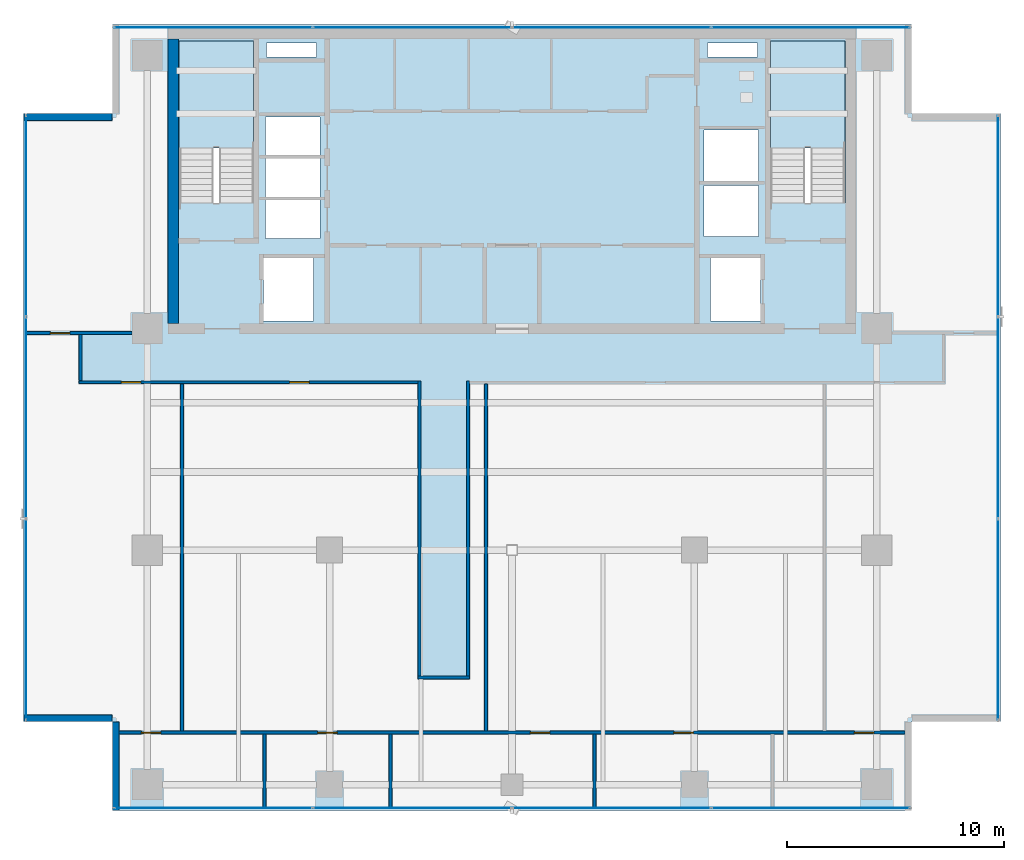
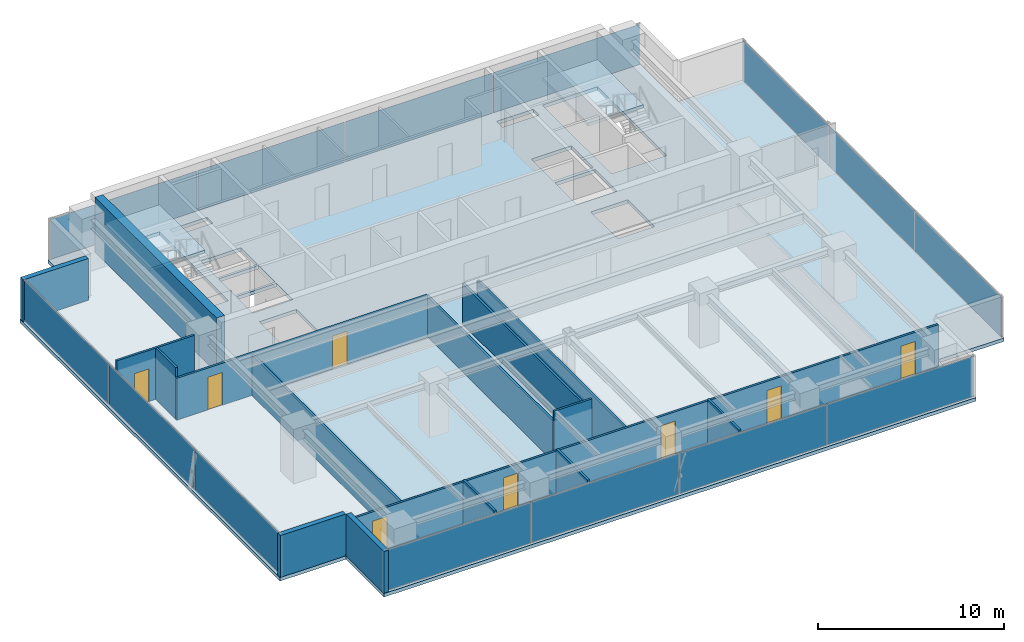
# One storey, part 19 of 25: 16 walls, 14 plates, 8 doors, 3 slabs, 8 openings, 6 elements without a shape of their own.
"""IFC4 building model written with IfcOpenShell, lengths in metres."""

import ifcopenshell
import ifcopenshell.guid

model = None  # the IFC model being written
_history = None  # IfcOwnerHistory: only IFC2X3 demands one
_inside = {}  # id of a spatial element -> (the spatial element, [elements in it])
_under = {}  # id of a project, library or spatial element -> (it, [spatial elements below it])
_declared = {}  # id of a project -> (the project, [libraries it declares])
_typed = {}  # id of a type object -> (the type object, [elements of that type])
_made_of = {}  # id of a material, layer set ... -> (it, [elements and type objects made of it])


def new_model(schema):
    """Start an empty IFC model of exactly this schema.

    Asked for "IFC4X3", IfcOpenShell would pick the latest addendum, in which some entities
    have other attributes; the version numbers below select the first issue.
    IFC2X3 requires an IfcOwnerHistory on every rooted entity: one is made here for all.
    """
    global model, _history
    if schema == "IFC4X3":
        model = ifcopenshell.file(schema_version=(4, 3, 0, 0))
    else:
        model = ifcopenshell.file(schema=schema)
    _inside.clear()
    _under.clear()
    _declared.clear()
    _typed.clear()
    _made_of.clear()
    _history = None
    if model.schema == "IFC2X3":
        org = make("IfcOrganization", Name="unknown")
        user = make(
            "IfcPersonAndOrganization",
            ThePerson=make("IfcPerson", FamilyName="unknown"),
            TheOrganization=org,
        )
        app = make(
            "IfcApplication",
            ApplicationDeveloper=org,
            Version="unknown",
            ApplicationFullName="unknown",
            ApplicationIdentifier="unknown",
        )
        _history = make(
            "IfcOwnerHistory",
            OwningUser=user,
            OwningApplication=app,
            ChangeAction="ADDED",
            CreationDate=0,
        )
    return model


def make(cls, **values):
    """One entity of the class cls with the attributes given. An attribute that is None is left unset."""
    return model.create_entity(
        cls, **{name: value for name, value in values.items() if value is not None}
    )


def rooted(cls, **values):
    """An entity with a GlobalId (a new one), such as an element, a storey or a relation."""
    return make(cls, GlobalId=ifcopenshell.guid.new(), OwnerHistory=_history, **values)


def si_unit(unit_type, name, prefix=None):
    """IfcSIUnit, for example si_unit("LENGTHUNIT", "METRE", prefix="MILLI")."""
    return make("IfcSIUnit", UnitType=unit_type, Prefix=prefix, Name=name)


def assignment(units):
    """IfcUnitAssignment: the units of a project."""
    return None if units is None else make("IfcUnitAssignment", Units=units)


def point(xyz):
    """IfcCartesianPoint."""
    return None if xyz is None else make("IfcCartesianPoint", Coordinates=xyz)


def direction(xyz):
    """IfcDirection."""
    return None if xyz is None else make("IfcDirection", DirectionRatios=xyz)


def frame(location, z_axis=None, x_axis=None):
    """IfcAxis2Placement3D, a coordinate frame: its origin and axes. An axis left out is left unset."""
    return make(
        "IfcAxis2Placement3D",
        Location=point(location),
        Axis=direction(z_axis),
        RefDirection=direction(x_axis),
    )


def frame_2d(location, x_axis=None):
    """IfcAxis2Placement2D, a coordinate frame in the plane: its origin and x axis."""
    return make(
        "IfcAxis2Placement2D", Location=point(location), RefDirection=direction(x_axis)
    )


def origin():
    """The frame at (0, 0, 0) with its axes left unset."""
    return frame((0.0, 0.0, 0.0))


def origin_2d():
    """The frame at (0, 0) in the plane with its x axis left unset."""
    return frame_2d((0.0, 0.0))


def place(relative_to, where):
    """IfcLocalPlacement: puts the frame where relative to a parent placement (None: the world)."""
    return make(
        "IfcLocalPlacement", PlacementRelTo=relative_to, RelativePlacement=where
    )


def context(
    kind, dimensions, precision=None, world=None, true_north=None, identifier=None
):
    """IfcGeometricRepresentationContext, for example the 3D "Model" context."""
    return make(
        "IfcGeometricRepresentationContext",
        ContextIdentifier=identifier,
        ContextType=kind,
        CoordinateSpaceDimension=dimensions,
        Precision=precision,
        WorldCoordinateSystem=world,
        TrueNorth=true_north,
    )


def subcontext(parent, identifier, kind, view, scale=None):
    """IfcGeometricRepresentationSubContext, for example "Body" below "Model"."""
    return make(
        "IfcGeometricRepresentationSubContext",
        ContextIdentifier=identifier,
        ContextType=kind,
        ParentContext=parent,
        TargetScale=scale,
        TargetView=view,
    )


def project(units=None, contexts=None):
    """IfcProject with its units and contexts."""
    return rooted(
        "IfcProject",
        Name="project",
        RepresentationContexts=contexts,
        UnitsInContext=assignment(units),
    )


def spatial(cls, under=None, at=None, **own):
    """A site, building, storey or space (cls), placed at a placement, below another one or the project."""
    s = rooted(cls, ObjectPlacement=at, **own)
    if under is not None:
        _under.setdefault(under.id(), (under, []))[1].append(s)
    return s


def polyline(points):
    """IfcPolyline through the points."""
    return make("IfcPolyline", Points=[point(p) for p in points])


def profile(cls, at=None, kind="AREA", **sizes):
    """A parametric profile (cls). Its sizes go by their IFC names, for example OverallWidth=200.0."""
    return make(cls, ProfileType=kind, Position=at, **sizes)


def rectangle(**sizes):
    """IfcRectangleProfileDef."""
    return profile("IfcRectangleProfileDef", **sizes)


def outline(outer, holes=None, kind="AREA"):
    """IfcArbitraryClosedProfileDef: a profile drawn as a closed curve; with holes, ...WithVoids."""
    if holes is None:
        return make("IfcArbitraryClosedProfileDef", ProfileType=kind, OuterCurve=outer)
    return make(
        "IfcArbitraryProfileDefWithVoids",
        ProfileType=kind,
        OuterCurve=outer,
        InnerCurves=holes,
    )


def extrude(swept, where, along, depth):
    """IfcExtrudedAreaSolid: the profile swept, set in the frame where, extruded along a direction by depth."""
    return make(
        "IfcExtrudedAreaSolid",
        SweptArea=swept,
        Position=where,
        ExtrudedDirection=direction(along),
        Depth=depth,
    )


def shape(context_of_items, identifier, shape_type, items):
    """IfcShapeRepresentation: the items that make up one representation, for example the "Body"."""
    return make(
        "IfcShapeRepresentation",
        ContextOfItems=context_of_items,
        RepresentationIdentifier=identifier,
        RepresentationType=shape_type,
        Items=items,
    )


def source(mapping_origin, context_of_items, identifier, shape_type, items):
    """IfcRepresentationMap: a shape defined once, which mapped items show again and again."""
    return make(
        "IfcRepresentationMap",
        MappingOrigin=mapping_origin,
        MappedRepresentation=shape(context_of_items, identifier, shape_type, items),
    )


def transform(
    local_origin,
    x_axis=None,
    y_axis=None,
    z_axis=None,
    scale=None,
    scale2=None,
    scale3=None,
    uniform=True,
):
    """IfcCartesianTransformationOperator3D, or its non-uniform kind. x_axis, y_axis, z_axis: its Axis1, 2, 3."""
    if uniform:
        return make(
            "IfcCartesianTransformationOperator3D",
            Axis1=direction(x_axis),
            Axis2=direction(y_axis),
            LocalOrigin=point(local_origin),
            Scale=scale,
            Axis3=direction(z_axis),
        )
    return make(
        "IfcCartesianTransformationOperator3DnonUniform",
        Axis1=direction(x_axis),
        Axis2=direction(y_axis),
        LocalOrigin=point(local_origin),
        Scale=scale,
        Axis3=direction(z_axis),
        Scale2=scale2,
        Scale3=scale3,
    )


def mapped(mapping_source, mapping_target):
    """IfcMappedItem: shows the shape of a source again, moved by a transform."""
    return make(
        "IfcMappedItem", MappingSource=mapping_source, MappingTarget=mapping_target
    )


def material(Name=None, Category=None):
    """IfcMaterial."""
    return make("IfcMaterial", Name=Name, Category=Category)


def layer(
    of_material, thickness, ventilated=None, Name=None, Category=None, Priority=None
):
    """IfcMaterialLayer: one layer of a wall or slab, of a material (None: an air gap)."""
    return make(
        "IfcMaterialLayer",
        Material=of_material,
        LayerThickness=thickness,
        IsVentilated=ventilated,
        Name=Name,
        Category=Category,
        Priority=Priority,
    )


def layer_set(layers, Name=None):
    """IfcMaterialLayerSet."""
    return make("IfcMaterialLayerSet", MaterialLayers=layers, LayerSetName=Name)


def made_of(thing, what):
    """Note that an element or type object is made of a material, layer set ...; save() writes the relation."""
    if what is not None:
        _made_of.setdefault(what.id(), (what, []))[1].append(thing)
    return thing


def type_object(cls, material=None, **own):
    """A type object (cls), such as IfcWallType, which elements share."""
    return made_of(rooted(cls, **own), material)


def element(
    cls,
    number,
    at=None,
    inside=None,
    cuts=None,
    type_object=None,
    material=None,
    context=None,
    identifier="Body",
    shape_type=None,
    held_by="IfcProductDefinitionShape",
    body=None,
    shapes=None,
    **own,
):
    """One element of the class cls, such as IfcWall. Its Tag is "e" and its number.

    at: its placement. inside: the storey or other place that contains it. cuts: it is an
    opening in that element (IfcRelVoidsElement). A single representation is given by context,
    identifier, shape_type and body (its items); several are given by shapes. held_by: the class
    of the entity that holds the representations. save() writes the other relations.
    """
    e = rooted(cls, Tag="e%d" % number, ObjectPlacement=at, **own)
    if body is not None:
        shapes = [shape(context, identifier, shape_type, body)]
    if shapes is not None:
        e.Representation = make(held_by, Representations=shapes)
    if inside is not None:
        _inside.setdefault(inside.id(), (inside, []))[1].append(e)
    if cuts is not None:
        rooted(
            "IfcRelVoidsElement", RelatingBuildingElement=cuts, RelatedOpeningElement=e
        )
    if type_object is not None:
        _typed.setdefault(type_object.id(), (type_object, []))[1].append(e)
    return made_of(e, material)


def fill(opening, filler):
    """IfcRelFillsElement: the door or window that sits in an opening."""
    return rooted(
        "IfcRelFillsElement",
        RelatingOpeningElement=opening,
        RelatedBuildingElement=filler,
    )


def aggregate(whole, parts):
    """IfcRelAggregates: a whole, such as a stair, and the parts it consists of."""
    return rooted("IfcRelAggregates", RelatingObject=whole, RelatedObjects=parts)


def save(model, path):
    """Write the relations noted so far, then the file.

    IfcRelAggregates (storeys below a building ...), IfcRelContainedInSpatialStructure (elements
    in a storey), IfcRelDefinesByType, IfcRelAssociatesMaterial and IfcRelDeclares: one each for
    every whole, place, type object, material and project.
    """
    for whole, parts in _under.values():
        aggregate(whole, parts)
    for where, things in _inside.values():
        rooted(
            "IfcRelContainedInSpatialStructure",
            RelatedElements=things,
            RelatingStructure=where,
        )
    for kind, things in _typed.values():
        rooted("IfcRelDefinesByType", RelatedObjects=things, RelatingType=kind)
    for what, things in _made_of.values():
        rooted("IfcRelAssociatesMaterial", RelatedObjects=things, RelatingMaterial=what)
    for by, libraries in _declared.values():
        rooted("IfcRelDeclares", RelatingContext=by, RelatedDefinitions=libraries)
    model.write(path)


model = new_model("IFC4")

# Units and contexts
model_context = context("Model", 3, precision=1e-05, world=origin(), true_north=direction((0.0, 1.0)))
body_context = subcontext(model_context, "Body", "Model", "MODEL_VIEW")
ifc_project = project(units=[si_unit("LENGTHUNIT", "METRE"), si_unit("AREAUNIT", "SQUARE_METRE"), si_unit("VOLUMEUNIT", "CUBIC_METRE"), si_unit("PLANEANGLEUNIT", "RADIAN"), si_unit("MASSUNIT", "GRAM", prefix="KILO")], contexts=[model_context])

# Site, building, storey
site_placement = place(None, origin())
site = spatial("IfcSite", under=ifc_project, at=site_placement, CompositionType="ELEMENT")
building_placement = place(site_placement, origin())
building = spatial("IfcBuilding", under=site, at=building_placement, Name="Sumidabori Civic Tower", CompositionType="ELEMENT")
storey_placement = place(building_placement, frame((0.0, 0.0, 232.39990234375)))
storey = spatial("IfcBuildingStorey", under=building, at=storey_placement, Name="L60", CompositionType="ELEMENT", Elevation=232.39990234375)

# Stair, slab
ifc_material_1 = material(Name="Concrete C40/50", Category="concrete")
stair_type = type_object("IfcStairType", Name="ST-CORE-1600", PredefinedType="HALF_TURN_STAIR", material=ifc_material_1)
stair_1_placement = place(storey_placement, origin())
stair_1 = element("IfcStair", 1, at=stair_1_placement, inside=storey, type_object=stair_type, Name="L60 ST-1", PredefinedType="HALF_TURN_STAIR")
ifc_layer_1 = layer(ifc_material_1, 0.199951171875, Name="Concrete C40/50")
ifc_layer_set_1 = layer_set([ifc_layer_1], Name="Concrete C40/50")
slab_type_1 = type_object("IfcSlabType", Name="SL-LAND-200", PredefinedType="LANDING", material=ifc_layer_set_1)
slab_1_placement = place(storey_placement, frame((0.0, 0.0, 1.60009765625)))
slab_1 = element("IfcSlab", 2, at=slab_1_placement, type_object=slab_type_1, Name="ST-1 landing 1", PredefinedType="LANDING", context=body_context, shape_type="SweptSolid", body=[
    extrude(outline(polyline([(-11.89990234375, 18.52001953125), (-11.89990234375, 23.449951171875), (-15.340087890625, 23.449951171875), (-15.340087890625, 18.52001953125), (-11.89990234375, 18.52001953125)])), origin(), (0.0, 0.0, 1.0), 0.199951171875),
])
aggregate(stair_1, [slab_1])

stair_2_placement = place(storey_placement, origin())
stair_2 = element("IfcStair", 3, at=stair_2_placement, inside=storey, type_object=stair_type, Name="L60 ST-2", PredefinedType="HALF_TURN_STAIR")
slab_2_placement = place(storey_placement, frame((0.0, 0.0, 1.60009765625)))
slab_2 = element("IfcSlab", 4, at=slab_2_placement, type_object=slab_type_1, Name="ST-2 landing 1", PredefinedType="LANDING", context=body_context, shape_type="SweptSolid", body=[
    extrude(outline(polyline([(15.340087890625, 18.52001953125), (15.340087890625, 23.449951171875), (11.89990234375, 23.449951171875), (11.89990234375, 18.52001953125), (15.340087890625, 18.52001953125)])), origin(), (0.0, 0.0, 1.0), 0.199951171875),
])
aggregate(stair_2, [slab_2])

# Slab
ifc_layer_2 = layer(ifc_material_1, 0.22998046875, Name="Concrete C40/50")
ifc_layer_set_2 = layer_set([ifc_layer_2], Name="Concrete C40/50")
slab_type_2 = type_object("IfcSlabType", Name="SL-Z4-230", PredefinedType="FLOOR", material=ifc_layer_set_2)
slab_3_placement = place(storey_placement, frame((0.0, 0.0, -0.22998046875)))
element("IfcSlab", 5, at=slab_3_placement, inside=storey, type_object=slab_type_2, Name="Structural Slab L60", PredefinedType="FLOOR", context=body_context, shape_type="SweptSolid", body=[
    extrude(outline(polyline([(-18.39990234375, -12.0), (18.39990234375, -12.0), (18.39990234375, -7.89990234375), (22.5, -7.89990234375), (22.5, 20.10009765625), (18.39990234375, 20.10009765625), (18.39990234375, 24.199951171875), (-18.39990234375, 24.199951171875), (-18.39990234375, 20.10009765625), (-22.5, 20.10009765625), (-22.5, -7.89990234375), (-18.39990234375, -7.89990234375), (-18.39990234375, -12.0)]), holes=[polyline([(-11.89990234375, 16.0), (-11.89990234375, 23.449951171875), (-15.340087890625, 23.449951171875), (-15.340087890625, 16.0), (-11.89990234375, 16.0)]), polyline([(15.340087890625, 16.0), (15.340087890625, 23.449951171875), (11.89990234375, 23.449951171875), (11.89990234375, 16.0), (15.340087890625, 16.0)]), polyline([(-11.449951171875, 10.550048828125), (-9.14990234375, 10.550048828125), (-9.14990234375, 13.449951171875), (-11.449951171875, 13.449951171875), (-11.449951171875, 10.550048828125)]), polyline([(9.14990234375, 10.550048828125), (11.449951171875, 10.550048828125), (11.449951171875, 13.449951171875), (9.14990234375, 13.449951171875), (9.14990234375, 10.550048828125)]), polyline([(-11.35009765625, 14.35009765625), (-8.85009765625, 14.35009765625), (-8.85009765625, 16.1201171875), (-11.35009765625, 16.1201171875), (-11.35009765625, 14.35009765625)]), polyline([(-11.35009765625, 16.27001953125), (-8.85009765625, 16.27001953125), (-8.85009765625, 18.0400390625), (-11.35009765625, 18.0400390625), (-11.35009765625, 16.27001953125)]), polyline([(-11.35009765625, 18.18994140625), (-8.85009765625, 18.18994140625), (-8.85009765625, 19.9599609375), (-11.35009765625, 19.9599609375), (-11.35009765625, 18.18994140625)]), polyline([(8.85009765625, 14.449951171875), (11.35009765625, 14.449951171875), (11.35009765625, 16.800048828125), (8.85009765625, 16.800048828125), (8.85009765625, 14.449951171875)]), polyline([(8.85009765625, 17.0), (11.35009765625, 17.0), (11.35009765625, 19.35009765625), (8.85009765625, 19.35009765625), (8.85009765625, 17.0)]), polyline([(-11.300048828125, 22.719970703125), (-9.0, 22.719970703125), (-9.0, 23.35009765625), (-11.300048828125, 23.35009765625), (-11.300048828125, 22.719970703125)]), polyline([(9.0, 22.719970703125), (11.300048828125, 22.719970703125), (11.300048828125, 23.35009765625), (9.0, 23.35009765625), (9.0, 22.719970703125)])]), origin(), (0.0, 0.0, 1.0), 0.22998046875),
])

# Curtain wall, plates
ifc_material_2 = material(Name="Anodised Bronze Aluminium AW-6063-T6", Category="aluminium")
ifc_layer_3 = layer(ifc_material_2, 0.179931640625, Name="Anodised Bronze Aluminium AW-6063-T6")
ifc_layer_set_3 = layer_set([ifc_layer_3], Name="Anodised Bronze Aluminium AW-6063-T6")
curtain_wall_type = type_object("IfcCurtainWallType", Name="CW-SYS-5", PredefinedType="NOTDEFINED", material=ifc_layer_set_3)
curtain_wall_1_placement = place(storey_placement, origin())
curtain_wall_1 = element("IfcCurtainWall", 6, at=curtain_wall_1_placement, inside=storey, type_object=curtain_wall_type, Name="Curtain Wall CW:L60:R04", PredefinedType="NOTDEFINED")
ifc_material_3 = material(Name="Low-E Solar-Control Vision Glazing", Category="glass")
ifc_layer_4 = layer(ifc_material_3, 0.028076171875, Name="Low-E Solar-Control Vision Glazing")
ifc_layer_set_4 = layer_set([ifc_layer_4], Name="Low-E Solar-Control Vision Glazing")
plate_type = type_object("IfcPlateType", Name="CW-PNL-28", PredefinedType="CURTAIN_PANEL", material=ifc_layer_set_4)
shared_shape_1 = source(origin(), body_context, "Body", "SweptSolid", [
    extrude(rectangle(XDim=9.223388671875, YDim=0.028076171875, at=origin_2d()), origin(), (0.0, 0.0, 1.0), 2.6298828125),
])
plate_1_placement = place(storey_placement, frame((22.3798828125, -3.1982421875, 0.06005859375), z_axis=(0.0, 0.0, 1.0), x_axis=(0.0, 1.0, 0.0)))
plate_1 = element("IfcPlate", 7, at=plate_1_placement, type_object=plate_type, Name="CW-5 panel 1.1", PredefinedType="CURTAIN_PANEL", context=body_context, shape_type="MappedRepresentation", body=[
    mapped(shared_shape_1, transform((0.0, 0.0, 0.0), x_axis=(1.0, 0.0, 0.0), y_axis=(0.0, 1.0, 0.0), z_axis=(0.0, 0.0, 1.0), scale=1.0)),
])
plate_2_placement = place(storey_placement, frame((22.3798828125, 15.3984375, 0.06005859375), z_axis=(0.0, 0.0, 1.0), x_axis=(0.0, 1.0, 0.0)))
plate_2 = element("IfcPlate", 8, at=plate_2_placement, type_object=plate_type, Name="CW-5 panel 3.1", PredefinedType="CURTAIN_PANEL", context=body_context, shape_type="MappedRepresentation", body=[
    mapped(shared_shape_1, transform((0.0, 0.0, 0.0), x_axis=(1.0, 0.0, 0.0), y_axis=(0.0, 1.0, 0.0), z_axis=(0.0, 0.0, 1.0), scale=1.0)),
])

curtain_wall_2_placement = place(storey_placement, origin())
curtain_wall_2 = element("IfcCurtainWall", 9, at=curtain_wall_2_placement, inside=storey, type_object=curtain_wall_type, Name="Curtain Wall CW:L60:R10", PredefinedType="NOTDEFINED")
plate_3_placement = place(storey_placement, frame((-22.3798828125, 15.3984375, 0.06005859375), z_axis=(0.0, 0.0, 1.0), x_axis=(0.0, -1.0, 0.0)))
plate_3 = element("IfcPlate", 10, at=plate_3_placement, type_object=plate_type, Name="CW-5 panel 1.1", PredefinedType="CURTAIN_PANEL", context=body_context, shape_type="MappedRepresentation", body=[
    mapped(shared_shape_1, transform((0.0, 0.0, 0.0), x_axis=(1.0, 0.0, 0.0), y_axis=(0.0, 1.0, 0.0), z_axis=(0.0, 0.0, 1.0), scale=1.0)),
])
plate_4_placement = place(storey_placement, frame((-22.3798828125, -3.1982421875, 0.06005859375), z_axis=(0.0, 0.0, 1.0), x_axis=(0.0, -1.0, 0.0)))
plate_4 = element("IfcPlate", 11, at=plate_4_placement, type_object=plate_type, Name="CW-5 panel 3.1", PredefinedType="CURTAIN_PANEL", context=body_context, shape_type="MappedRepresentation", body=[
    mapped(shared_shape_1, transform((0.0, 0.0, 0.0), x_axis=(1.0, 0.0, 0.0), y_axis=(0.0, 1.0, 0.0), z_axis=(0.0, 0.0, 1.0), scale=1.0)),
])

# Plate
shared_shape_2 = source(origin(), body_context, "Body", "SweptSolid", [
    extrude(rectangle(XDim=9.25341796875, YDim=0.028076171875, at=origin_2d()), origin(), (0.0, 0.0, 1.0), 2.6298828125),
])
plate_5_placement = place(storey_placement, frame((22.3798828125, 6.10009765625, 0.06005859375), z_axis=(0.0, 0.0, 1.0), x_axis=(0.0, 1.0, 0.0)))
plate_5 = element("IfcPlate", 12, at=plate_5_placement, type_object=plate_type, Name="CW-5 panel 2.1", PredefinedType="CURTAIN_PANEL", context=body_context, shape_type="MappedRepresentation", body=[
    mapped(shared_shape_2, transform((0.0, 0.0, 0.0), x_axis=(1.0, 0.0, 0.0), y_axis=(0.0, 1.0, 0.0), z_axis=(0.0, 0.0, 1.0), scale=1.0)),
])

aggregate(curtain_wall_1, [plate_1, plate_5, plate_2])

plate_6_placement = place(storey_placement, frame((-22.3798828125, 6.10009765625, 0.06005859375), z_axis=(0.0, 0.0, 1.0), x_axis=(0.0, -1.0, 0.0)))
plate_6 = element("IfcPlate", 13, at=plate_6_placement, type_object=plate_type, Name="CW-5 panel 2.1", PredefinedType="CURTAIN_PANEL", context=body_context, shape_type="MappedRepresentation", body=[
    mapped(shared_shape_2, transform((0.0, 0.0, 0.0), x_axis=(1.0, 0.0, 0.0), y_axis=(0.0, 1.0, 0.0), z_axis=(0.0, 0.0, 1.0), scale=1.0)),
])

aggregate(curtain_wall_2, [plate_3, plate_6, plate_4])

# Curtain wall, plates
curtain_wall_3_placement = place(storey_placement, origin())
curtain_wall_3 = element("IfcCurtainWall", 14, at=curtain_wall_3_placement, inside=storey, type_object=curtain_wall_type, Name="Curtain Wall CW:L60:R01", PredefinedType="NOTDEFINED")
shared_shape_3 = source(origin(), body_context, "Body", "SweptSolid", [
    extrude(rectangle(XDim=9.094970703125, YDim=0.028076171875, at=origin_2d()), origin(), (0.0, 0.0, 1.0), 2.6298828125),
])
plate_7_placement = place(storey_placement, frame((-13.762451171875, -11.8798828125, 0.06005859375), z_axis=(0.0, 0.0, 1.0), x_axis=(1.0, 0.0, 0.0)))
plate_7 = element("IfcPlate", 15, at=plate_7_placement, type_object=plate_type, Name="CW-5 panel 1.1", PredefinedType="CURTAIN_PANEL", context=body_context, shape_type="MappedRepresentation", body=[
    mapped(shared_shape_3, transform((0.0, 0.0, 0.0), x_axis=(1.0, 0.0, 0.0), y_axis=(0.0, 1.0, 0.0), z_axis=(0.0, 0.0, 1.0), scale=1.0)),
])
plate_8_placement = place(storey_placement, frame((13.762451171875, -11.8798828125, 0.06005859375), z_axis=(0.0, 0.0, 1.0), x_axis=(1.0, 0.0, 0.0)))
plate_8 = element("IfcPlate", 16, at=plate_8_placement, type_object=plate_type, Name="CW-5 panel 4.1", PredefinedType="CURTAIN_PANEL", context=body_context, shape_type="MappedRepresentation", body=[
    mapped(shared_shape_3, transform((0.0, 0.0, 0.0), x_axis=(1.0, 0.0, 0.0), y_axis=(0.0, 1.0, 0.0), z_axis=(0.0, 0.0, 1.0), scale=1.0)),
])

curtain_wall_4_placement = place(storey_placement, origin())
curtain_wall_4 = element("IfcCurtainWall", 17, at=curtain_wall_4_placement, inside=storey, type_object=curtain_wall_type, Name="Curtain Wall CW:L60:R07", PredefinedType="NOTDEFINED")
plate_9_placement = place(storey_placement, frame((13.762451171875, 24.080078125, 0.06005859375), z_axis=(0.0, 0.0, 1.0), x_axis=(-1.0, 0.0, 0.0)))
plate_9 = element("IfcPlate", 18, at=plate_9_placement, type_object=plate_type, Name="CW-5 panel 1.1", PredefinedType="CURTAIN_PANEL", context=body_context, shape_type="MappedRepresentation", body=[
    mapped(shared_shape_3, transform((0.0, 0.0, 0.0), x_axis=(1.0, 0.0, 0.0), y_axis=(0.0, 1.0, 0.0), z_axis=(0.0, 0.0, 1.0), scale=1.0)),
])
plate_10_placement = place(storey_placement, frame((-13.762451171875, 24.080078125, 0.06005859375), z_axis=(0.0, 0.0, 1.0), x_axis=(-1.0, 0.0, 0.0)))
plate_10 = element("IfcPlate", 19, at=plate_10_placement, type_object=plate_type, Name="CW-5 panel 4.1", PredefinedType="CURTAIN_PANEL", context=body_context, shape_type="MappedRepresentation", body=[
    mapped(shared_shape_3, transform((0.0, 0.0, 0.0), x_axis=(1.0, 0.0, 0.0), y_axis=(0.0, 1.0, 0.0), z_axis=(0.0, 0.0, 1.0), scale=1.0)),
])

# Plate
shared_shape_4 = source(origin(), body_context, "Body", "SweptSolid", [
    extrude(rectangle(XDim=9.125, YDim=0.028076171875, at=origin_2d()), origin(), (0.0, 0.0, 1.0), 2.6298828125),
])
plate_11_placement = place(storey_placement, frame((-4.592529296875, -11.8798828125, 0.06005859375), z_axis=(0.0, 0.0, 1.0), x_axis=(1.0, 0.0, 0.0)))
plate_11 = element("IfcPlate", 20, at=plate_11_placement, type_object=plate_type, Name="CW-5 panel 2.1", PredefinedType="CURTAIN_PANEL", context=body_context, shape_type="MappedRepresentation", body=[
    mapped(shared_shape_4, transform((0.0, 0.0, 0.0), x_axis=(1.0, 0.0, 0.0), y_axis=(0.0, 1.0, 0.0), z_axis=(0.0, 0.0, 1.0), scale=1.0)),
])

plate_12_placement = place(storey_placement, frame((4.592529296875, -11.8798828125, 0.06005859375), z_axis=(0.0, 0.0, 1.0), x_axis=(1.0, 0.0, 0.0)))
plate_12 = element("IfcPlate", 21, at=plate_12_placement, type_object=plate_type, Name="CW-5 panel 3.1", PredefinedType="CURTAIN_PANEL", context=body_context, shape_type="MappedRepresentation", body=[
    mapped(shared_shape_4, transform((0.0, 0.0, 0.0), x_axis=(1.0, 0.0, 0.0), y_axis=(0.0, 1.0, 0.0), z_axis=(0.0, 0.0, 1.0), scale=1.0)),
])

aggregate(curtain_wall_3, [plate_7, plate_11, plate_12, plate_8])

plate_13_placement = place(storey_placement, frame((4.592529296875, 24.080078125, 0.06005859375), z_axis=(0.0, 0.0, 1.0), x_axis=(-1.0, 0.0, 0.0)))
plate_13 = element("IfcPlate", 22, at=plate_13_placement, type_object=plate_type, Name="CW-5 panel 2.1", PredefinedType="CURTAIN_PANEL", context=body_context, shape_type="MappedRepresentation", body=[
    mapped(shared_shape_4, transform((0.0, 0.0, 0.0), x_axis=(1.0, 0.0, 0.0), y_axis=(0.0, 1.0, 0.0), z_axis=(0.0, 0.0, 1.0), scale=1.0)),
])

plate_14_placement = place(storey_placement, frame((-4.592529296875, 24.080078125, 0.06005859375), z_axis=(0.0, 0.0, 1.0), x_axis=(-1.0, 0.0, 0.0)))
plate_14 = element("IfcPlate", 23, at=plate_14_placement, type_object=plate_type, Name="CW-5 panel 3.1", PredefinedType="CURTAIN_PANEL", context=body_context, shape_type="MappedRepresentation", body=[
    mapped(shared_shape_4, transform((0.0, 0.0, 0.0), x_axis=(1.0, 0.0, 0.0), y_axis=(0.0, 1.0, 0.0), z_axis=(0.0, 0.0, 1.0), scale=1.0)),
])

aggregate(curtain_wall_4, [plate_9, plate_13, plate_14, plate_10])

# Walls
ifc_material_4 = material(Name="Concrete C50/60", Category="concrete")
ifc_layer_5 = layer(ifc_material_4, 0.5, Name="Concrete C50/60")
ifc_layer_set_5 = layer_set([ifc_layer_5], Name="Concrete C50/60")
wall_type_1 = type_object("IfcWallType", Name="WL-CORE-500", PredefinedType="SHEAR", material=ifc_layer_set_5)
shared_shape_5 = source(origin(), body_context, "Body", "SweptSolid", [
    extrude(rectangle(XDim=13.10009765625, YDim=0.5, at=frame_2d((6.550048828125, 0.0))), origin(), (0.0, 0.0, 1.0), 3.60009765625),
])
wall_1_placement = place(storey_placement, frame((-15.60009765625, 10.449951171875, 0.0), z_axis=(0.0, 0.0, 1.0), x_axis=(0.0, 1.0, 0.0)))
element("IfcWall", 24, at=wall_1_placement, inside=storey, type_object=wall_type_1, Name="Core Shear Wall L60 W", PredefinedType="SHEAR", context=body_context, shape_type="MappedRepresentation", body=[
    mapped(shared_shape_5, transform((0.0, 0.0, 0.0), x_axis=(1.0, 0.0, 0.0), y_axis=(0.0, 1.0, 0.0), z_axis=(0.0, 0.0, 1.0), scale=1.0)),
])
ifc_material_5 = material(Name="Precast concrete C40/50", Category="concrete")
ifc_layer_6 = layer(ifc_material_5, 0.300048828125, Name="Precast concrete C40/50")
ifc_layer_set_6 = layer_set([ifc_layer_6], Name="Precast concrete C40/50")
wall_type_2 = type_object("IfcWallType", Name="WL-EXT-POD300", PredefinedType="STANDARD", material=ifc_layer_set_6)
shared_shape_6 = source(origin(), body_context, "Body", "SweptSolid", [
    extrude(rectangle(XDim=4.06005859375, YDim=0.300048828125, at=frame_2d((2.030029296875, 0.0))), origin(), (0.0, 0.0, 1.0), 2.75),
])
for number, where, z_axis, x_axis, name in (
    (25, (-18.419921875, 19.949951171875, 0.0), (0.0, 0.0, 1.0), (-1.0, 0.0, 0.0), "Notched Corner Spandrel Band L60-09"),
    (26, (-22.47998046875, -7.75, 0.0), (0.0, 0.0, 1.0), (1.0, 0.0, 0.0), "Notched Corner Spandrel Band L60-11"),
    (27, (-18.25, -7.919921875, 0.0), (0.0, 0.0, 1.0), (0.0, -1.0, 0.0), "Notched Corner Spandrel Band L60-12"),
):
    element("IfcWall", number, at=place(storey_placement, frame(where, z_axis=z_axis, x_axis=x_axis)), inside=storey, type_object=wall_type_2, Name=name, PredefinedType="STANDARD", context=body_context, shape_type="MappedRepresentation", body=[
        mapped(shared_shape_6, transform((0.0, 0.0, 0.0), x_axis=(1.0, 0.0, 0.0), y_axis=(0.0, 1.0, 0.0), z_axis=(0.0, 0.0, 1.0), scale=1.0)),
    ])

# Wall, opening, door
ifc_material_6 = material(Name="Gypsum Plasterboard Acoustic Partition")
ifc_layer_7 = layer(ifc_material_6, 0.135009765625, Name="Gypsum Plasterboard Acoustic Partition")
ifc_layer_set_7 = layer_set([ifc_layer_7], Name="Gypsum Plasterboard Acoustic Partition")
wall_type_3 = type_object("IfcWallType", Name="WL-PART-135", PredefinedType="PARTITIONING", material=ifc_layer_set_7)
shared_shape_7 = source(origin(), body_context, "Body", "SweptSolid", [
    extrude(rectangle(XDim=4.840087890625, YDim=0.135009765625, at=frame_2d((2.419921875, 0.0))), origin(), (0.0, 0.0, 1.0), 3.3701171875),
])
wall_2_placement = place(storey_placement, frame((-22.35009765625, 10.0, 0.0), z_axis=(0.0, 0.0, 1.0), x_axis=(1.0, 0.0, 0.0)))
wall_2 = element("IfcWall", 28, at=wall_2_placement, inside=storey, type_object=wall_type_3, Name="Interior Partition WL:L60:FLK-NW", PredefinedType="PARTITIONING", context=body_context, shape_type="MappedRepresentation", body=[
    mapped(shared_shape_7, transform((0.0, 0.0, 0.0), x_axis=(1.0, 0.0, 0.0), y_axis=(0.0, 1.0, 0.0), z_axis=(0.0, 0.0, 1.0), scale=1.0)),
])
opening_1_placement = place(wall_2_placement, frame((1.090087890625, 0.0, 0.0)))
opening_1 = element("IfcOpeningElement", 29, at=opening_1_placement, cuts=wall_2, Name="Opening DR-1", PredefinedType="OPENING", context=body_context, shape_type="SweptSolid", body=[
    extrude(rectangle(XDim=0.89990234375, YDim=2.14990234375, at=frame_2d((0.449951171875, 1.074951171875))), frame((0.0, 0.07958984375, 0.0), z_axis=(0.0, -1.0, 0.0), x_axis=(1.0, 0.0, 0.0)), (0.0, 0.0, 1.0), 0.158935546875),
])
ifc_material_7 = material(Name="Japanese Hinoki Timber", Category="wood")
door_type = type_object("IfcDoorType", Name="DR-INT-900", OperationType="NOTDEFINED", PredefinedType="DOOR", material=ifc_material_7)
shared_shape_8 = source(origin(), body_context, "Body", "SweptSolid", [
    extrude(rectangle(XDim=0.89990234375, YDim=2.14990234375, at=frame_2d((0.449951171875, 1.074951171875))), frame((0.0, 0.02490234375, 0.0), z_axis=(0.0, -1.0, 0.0), x_axis=(1.0, 0.0, 0.0)), (0.0, 0.0, 1.0), 0.050048828125),
])
door_1_placement = place(opening_1_placement, origin())
door_1 = element("IfcDoor", 30, at=door_1_placement, inside=storey, type_object=door_type, Name="Door DR:L60:D05", OperationType="SINGLE_SWING_LEFT", OverallHeight=2.14990234375, OverallWidth=0.89990234375, PredefinedType="DOOR", context=body_context, shape_type="MappedRepresentation", body=[
    mapped(shared_shape_8, transform((0.0, 0.0, 0.0), x_axis=(1.0, 0.0, 0.0), y_axis=(0.0, 1.0, 0.0), z_axis=(0.0, 0.0, 1.0), scale=1.0)),
])
fill(opening_1, door_1)

# Wall, openings, doors
shared_shape_9 = source(origin(), body_context, "Body", "SweptSolid", [
    extrude(rectangle(XDim=15.60009765625, YDim=0.135009765625, at=frame_2d((7.800048828125, 0.0))), origin(), (0.0, 0.0, 1.0), 2.755126953125),
])
wall_3_placement = place(storey_placement, frame((-19.93505859375, 7.732421875, 0.0), z_axis=(0.0, 0.0, 1.0), x_axis=(1.0, 0.0, 0.0)))
wall_3 = element("IfcWall", 31, at=wall_3_placement, inside=storey, type_object=wall_type_3, Name="Interior Partition WL:L60:CORR-SW", PredefinedType="PARTITIONING", context=body_context, shape_type="MappedRepresentation", body=[
    mapped(shared_shape_9, transform((0.0, 0.0, 0.0), x_axis=(1.0, 0.0, 0.0), y_axis=(0.0, 1.0, 0.0), z_axis=(0.0, 0.0, 1.0), scale=1.0)),
])
opening_2_placement = place(wall_3_placement, frame((1.943603515625, 0.0, 0.0)))
opening_2 = element("IfcOpeningElement", 32, at=opening_2_placement, cuts=wall_3, Name="Opening DR-1", PredefinedType="OPENING", context=body_context, shape_type="SweptSolid", body=[
    extrude(rectangle(XDim=0.89990234375, YDim=2.14990234375, at=frame_2d((0.449951171875, 1.074951171875))), frame((0.0, 0.07958984375, 0.0), z_axis=(0.0, -1.0, 0.0), x_axis=(1.0, 0.0, 0.0)), (0.0, 0.0, 1.0), 0.158935546875),
])
opening_3_placement = place(wall_3_placement, frame((9.69140625, 0.0, 0.0)))
opening_3 = element("IfcOpeningElement", 33, at=opening_3_placement, cuts=wall_3, Name="Opening DR-1", PredefinedType="OPENING", context=body_context, shape_type="SweptSolid", body=[
    extrude(rectangle(XDim=0.89990234375, YDim=2.14990234375, at=frame_2d((0.449951171875, 1.074951171875))), frame((0.0, 0.07958984375, 0.0), z_axis=(0.0, -1.0, 0.0), x_axis=(1.0, 0.0, 0.0)), (0.0, 0.0, 1.0), 0.158935546875),
])
door_2_placement = place(opening_2_placement, origin())
door_2 = element("IfcDoor", 34, at=door_2_placement, inside=storey, type_object=door_type, Name="Door DR:L60:D01", OperationType="SINGLE_SWING_LEFT", OverallHeight=2.14990234375, OverallWidth=0.89990234375, PredefinedType="DOOR", context=body_context, shape_type="MappedRepresentation", body=[
    mapped(shared_shape_8, transform((0.0, 0.0, 0.0), x_axis=(1.0, 0.0, 0.0), y_axis=(0.0, 1.0, 0.0), z_axis=(0.0, 0.0, 1.0), scale=1.0)),
])
fill(opening_2, door_2)
door_3_placement = place(opening_3_placement, origin())
door_3 = element("IfcDoor", 35, at=door_3_placement, inside=storey, type_object=door_type, Name="Door DR:L60:D04", OperationType="SINGLE_SWING_RIGHT", OverallHeight=2.14990234375, OverallWidth=0.89990234375, PredefinedType="DOOR", context=body_context, shape_type="MappedRepresentation", body=[
    mapped(shared_shape_8, transform((0.0, 0.0, 0.0), x_axis=(1.0, 0.0, 0.0), y_axis=(0.0, 1.0, 0.0), z_axis=(0.0, 0.0, 1.0), scale=1.0)),
])
fill(opening_3, door_3)

# Walls
shared_shape_10 = source(origin(), body_context, "Body", "SweptSolid", [
    extrude(rectangle(XDim=2.369873046875, YDim=0.135009765625, at=frame_2d((1.18505859375, 0.0))), origin(), (0.0, 0.0, 1.0), 3.3701171875),
])
wall_4_placement = place(storey_placement, frame((-4.3349609375, -5.867431640625, 0.0), z_axis=(0.0, 0.0, 1.0), x_axis=(1.0, 0.0, 0.0)))
element("IfcWall", 36, at=wall_4_placement, inside=storey, type_object=wall_type_3, Name="Interior Partition WL:L60:CORR-CAP-C", PredefinedType="PARTITIONING", context=body_context, shape_type="MappedRepresentation", body=[
    mapped(shared_shape_10, transform((0.0, 0.0, 0.0), x_axis=(1.0, 0.0, 0.0), y_axis=(0.0, 1.0, 0.0), z_axis=(0.0, 0.0, 1.0), scale=1.0)),
])
shared_shape_11 = source(origin(), body_context, "Body", "SweptSolid", [
    extrude(rectangle(XDim=2.12255859375, YDim=0.135009765625, at=frame_2d((1.061279296875, 0.0))), origin(), (0.0, 0.0, 1.0), 3.3701171875),
])
wall_5_placement = place(storey_placement, frame((-19.867431640625, 7.804931640625, 0.0), z_axis=(0.0, 0.0, 1.0), x_axis=(0.0, 1.0, 0.0)))
element("IfcWall", 37, at=wall_5_placement, inside=storey, type_object=wall_type_3, Name="Interior Partition WL:L60:CORR-VNW", PredefinedType="PARTITIONING", context=body_context, shape_type="MappedRepresentation", body=[
    mapped(shared_shape_11, transform((0.0, 0.0, 0.0), x_axis=(1.0, 0.0, 0.0), y_axis=(0.0, 1.0, 0.0), z_axis=(0.0, 0.0, 1.0), scale=1.0)),
])
shared_shape_12 = source(origin(), body_context, "Body", "SweptSolid", [
    extrude(rectangle(XDim=13.594970703125, YDim=0.135009765625, at=frame_2d((6.79736328125, 0.0))), origin(), (0.0, 0.0, 1.0), 2.655029296875),
])
for number, where, z_axis, x_axis, name in (
    (38, (-4.267578125, -5.794921875, 0.0), (0.0, 0.0, 1.0), (0.0, 1.0, 0.0), "Interior Partition WL:L60:CORR-VC-W"),
    (39, (-2.032470703125, -5.794921875, 0.0), (0.0, 0.0, 1.0), (0.0, 1.0, 0.0), "Interior Partition WL:L60:CORR-VC-E"),
):
    element("IfcWall", number, at=place(storey_placement, frame(where, z_axis=z_axis, x_axis=x_axis)), inside=storey, type_object=wall_type_3, Name=name, PredefinedType="PARTITIONING", context=body_context, shape_type="MappedRepresentation", body=[
        mapped(shared_shape_12, transform((0.0, 0.0, 0.0), x_axis=(1.0, 0.0, 0.0), y_axis=(0.0, 1.0, 0.0), z_axis=(0.0, 0.0, 1.0), scale=1.0)),
    ])

# Wall, openings, doors
shared_shape_13 = source(origin(), body_context, "Body", "SweptSolid", [
    extrude(rectangle(XDim=36.18408203125, YDim=0.135009765625, at=frame_2d((18.092041015625, 0.0))), origin(), (0.0, 0.0, 1.0), 2.755126953125),
])
wall_6_placement = place(storey_placement, frame((-18.092041015625, -8.39990234375, 0.0), z_axis=(0.0, 0.0, 1.0), x_axis=(1.0, 0.0, 0.0)))
wall_6 = element("IfcWall", 40, at=wall_6_placement, inside=storey, type_object=wall_type_3, Name="Interior Partition WL:L60:BAND-Y", PredefinedType="PARTITIONING", context=body_context, shape_type="MappedRepresentation", body=[
    mapped(shared_shape_13, transform((0.0, 0.0, 0.0), x_axis=(1.0, 0.0, 0.0), y_axis=(0.0, 1.0, 0.0), z_axis=(0.0, 0.0, 1.0), scale=1.0)),
])
opening_4_placement = place(wall_6_placement, frame((1.022216796875, 0.0, 0.0)))
opening_4 = element("IfcOpeningElement", 41, at=opening_4_placement, cuts=wall_6, Name="Opening DR-1", PredefinedType="OPENING", context=body_context, shape_type="SweptSolid", body=[
    extrude(rectangle(XDim=0.89990234375, YDim=2.14990234375, at=frame_2d((0.449951171875, 1.074951171875))), frame((0.0, 0.07958984375, 0.0), z_axis=(0.0, -1.0, 0.0), x_axis=(1.0, 0.0, 0.0)), (0.0, 0.0, 1.0), 0.158935546875),
])
opening_5_placement = place(wall_6_placement, frame((9.14208984375, 0.0, 0.0)))
opening_5 = element("IfcOpeningElement", 42, at=opening_5_placement, cuts=wall_6, Name="Opening DR-1", PredefinedType="OPENING", context=body_context, shape_type="SweptSolid", body=[
    extrude(rectangle(XDim=0.89990234375, YDim=2.14990234375, at=frame_2d((0.449951171875, 1.074951171875))), frame((0.0, 0.07958984375, 0.0), z_axis=(0.0, -1.0, 0.0), x_axis=(1.0, 0.0, 0.0)), (0.0, 0.0, 1.0), 0.158935546875),
])
opening_6_placement = place(wall_6_placement, frame((33.86181640625, 0.0, 0.0)))
opening_6 = element("IfcOpeningElement", 43, at=opening_6_placement, cuts=wall_6, Name="Opening DR-1", PredefinedType="OPENING", context=body_context, shape_type="SweptSolid", body=[
    extrude(rectangle(XDim=0.89990234375, YDim=2.14990234375, at=frame_2d((0.449951171875, 1.074951171875))), frame((0.0, 0.07958984375, 0.0), z_axis=(0.0, -1.0, 0.0), x_axis=(1.0, 0.0, 0.0)), (0.0, 0.0, 1.0), 0.158935546875),
])
opening_7_placement = place(wall_6_placement, frame((18.94189453125, 0.0, 0.0)))
opening_7 = element("IfcOpeningElement", 44, at=opening_7_placement, cuts=wall_6, Name="Opening DR-1", PredefinedType="OPENING", context=body_context, shape_type="SweptSolid", body=[
    extrude(rectangle(XDim=0.89990234375, YDim=2.14990234375, at=frame_2d((0.449951171875, 1.074951171875))), frame((0.0, 0.07958984375, 0.0), z_axis=(0.0, -1.0, 0.0), x_axis=(1.0, 0.0, 0.0)), (0.0, 0.0, 1.0), 0.158935546875),
])
opening_8_placement = place(wall_6_placement, frame((25.5419921875, 0.0, 0.0)))
opening_8 = element("IfcOpeningElement", 45, at=opening_8_placement, cuts=wall_6, Name="Opening DR-1", PredefinedType="OPENING", context=body_context, shape_type="SweptSolid", body=[
    extrude(rectangle(XDim=0.89990234375, YDim=2.14990234375, at=frame_2d((0.449951171875, 1.074951171875))), frame((0.0, 0.07958984375, 0.0), z_axis=(0.0, -1.0, 0.0), x_axis=(1.0, 0.0, 0.0)), (0.0, 0.0, 1.0), 0.158935546875),
])
door_4_placement = place(opening_4_placement, origin())
door_4 = element("IfcDoor", 46, at=door_4_placement, inside=storey, type_object=door_type, Name="Door DR:L60:D07", OperationType="SINGLE_SWING_LEFT", OverallHeight=2.14990234375, OverallWidth=0.89990234375, PredefinedType="DOOR", context=body_context, shape_type="MappedRepresentation", body=[
    mapped(shared_shape_8, transform((0.0, 0.0, 0.0), x_axis=(1.0, 0.0, 0.0), y_axis=(0.0, 1.0, 0.0), z_axis=(0.0, 0.0, 1.0), scale=1.0)),
])
fill(opening_4, door_4)
door_5_placement = place(opening_5_placement, origin())
door_5 = element("IfcDoor", 47, at=door_5_placement, inside=storey, type_object=door_type, Name="Door DR:L60:D08", OperationType="SINGLE_SWING_RIGHT", OverallHeight=2.14990234375, OverallWidth=0.89990234375, PredefinedType="DOOR", context=body_context, shape_type="MappedRepresentation", body=[
    mapped(shared_shape_8, transform((0.0, 0.0, 0.0), x_axis=(1.0, 0.0, 0.0), y_axis=(0.0, 1.0, 0.0), z_axis=(0.0, 0.0, 1.0), scale=1.0)),
])
fill(opening_5, door_5)
door_6_placement = place(opening_6_placement, origin())
door_6 = element("IfcDoor", 48, at=door_6_placement, inside=storey, type_object=door_type, Name="Door DR:L60:D09", OperationType="SINGLE_SWING_LEFT", OverallHeight=2.14990234375, OverallWidth=0.89990234375, PredefinedType="DOOR", context=body_context, shape_type="MappedRepresentation", body=[
    mapped(shared_shape_8, transform((0.0, 0.0, 0.0), x_axis=(1.0, 0.0, 0.0), y_axis=(0.0, 1.0, 0.0), z_axis=(0.0, 0.0, 1.0), scale=1.0)),
])
fill(opening_6, door_6)
door_7_placement = place(opening_7_placement, origin())
door_7 = element("IfcDoor", 49, at=door_7_placement, inside=storey, type_object=door_type, Name="Door DR:L60:D10", OperationType="SINGLE_SWING_RIGHT", OverallHeight=2.14990234375, OverallWidth=0.89990234375, PredefinedType="DOOR", context=body_context, shape_type="MappedRepresentation", body=[
    mapped(shared_shape_8, transform((0.0, 0.0, 0.0), x_axis=(1.0, 0.0, 0.0), y_axis=(0.0, 1.0, 0.0), z_axis=(0.0, 0.0, 1.0), scale=1.0)),
])
fill(opening_7, door_7)
door_8_placement = place(opening_8_placement, origin())
door_8 = element("IfcDoor", 50, at=door_8_placement, inside=storey, type_object=door_type, Name="Door DR:L60:D11", OperationType="SINGLE_SWING_LEFT", OverallHeight=2.14990234375, OverallWidth=0.89990234375, PredefinedType="DOOR", context=body_context, shape_type="MappedRepresentation", body=[
    mapped(shared_shape_8, transform((0.0, 0.0, 0.0), x_axis=(1.0, 0.0, 0.0), y_axis=(0.0, 1.0, 0.0), z_axis=(0.0, 0.0, 1.0), scale=1.0)),
])
fill(opening_8, door_8)

# Walls
shared_shape_14 = source(origin(), body_context, "Body", "SweptSolid", [
    extrude(rectangle(XDim=15.9873046875, YDim=0.135009765625, at=frame_2d((7.99365234375, 0.0))), origin(), (0.0, 0.0, 1.0), 2.655029296875),
])
for number, where, z_axis, x_axis, name in (
    (51, (-15.199951171875, -8.327392578125, 0.0), (0.0, 0.0, 1.0), (0.0, 1.0, 0.0), "Interior Partition WL:L60:VX-N1"),
    (52, (-1.199951171875, -8.327392578125, 0.0), (0.0, 0.0, 1.0), (0.0, 1.0, 0.0), "Interior Partition WL:L60:VX-N2"),
):
    element("IfcWall", number, at=place(storey_placement, frame(where, z_axis=z_axis, x_axis=x_axis)), inside=storey, type_object=wall_type_3, Name=name, PredefinedType="PARTITIONING", context=body_context, shape_type="MappedRepresentation", body=[
        mapped(shared_shape_14, transform((0.0, 0.0, 0.0), x_axis=(1.0, 0.0, 0.0), y_axis=(0.0, 1.0, 0.0), z_axis=(0.0, 0.0, 1.0), scale=1.0)),
    ])
shared_shape_15 = source(origin(), body_context, "Body", "SweptSolid", [
    extrude(rectangle(XDim=3.377685546875, YDim=0.135009765625, at=frame_2d((1.68896484375, 0.0))), origin(), (0.0, 0.0, 1.0), 2.905029296875),
])
for number, where, z_axis, x_axis, name in (
    (53, (-11.39990234375, -11.85009765625, 0.0), (0.0, 0.0, 1.0), (0.0, 1.0, 0.0), "Interior Partition WL:L60:VX-S1"),
    (54, (-5.60009765625, -11.85009765625, 0.0), (0.0, 0.0, 1.0), (0.0, 1.0, 0.0), "Interior Partition WL:L60:VX-S2"),
    (55, (3.800048828125, -11.85009765625, 0.0), (0.0, 0.0, 1.0), (0.0, 1.0, 0.0), "Interior Partition WL:L60:VX-S3"),
):
    element("IfcWall", number, at=place(storey_placement, frame(where, z_axis=z_axis, x_axis=x_axis)), inside=storey, type_object=wall_type_3, Name=name, PredefinedType="PARTITIONING", context=body_context, shape_type="MappedRepresentation", body=[
        mapped(shared_shape_15, transform((0.0, 0.0, 0.0), x_axis=(1.0, 0.0, 0.0), y_axis=(0.0, 1.0, 0.0), z_axis=(0.0, 0.0, 1.0), scale=1.0)),
    ])

save(model, "model.ifc")
